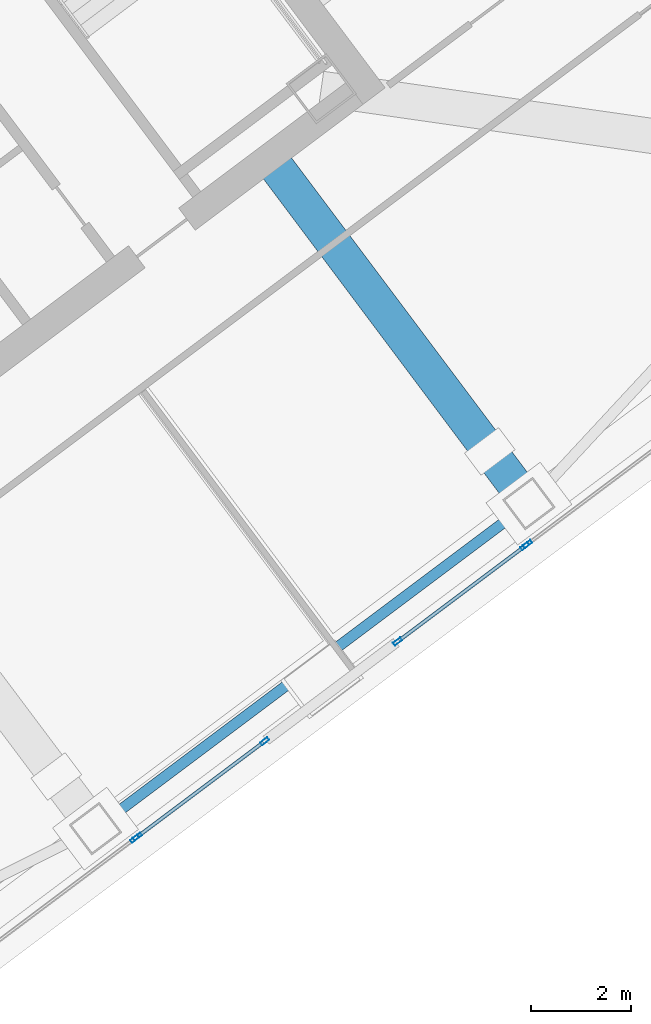
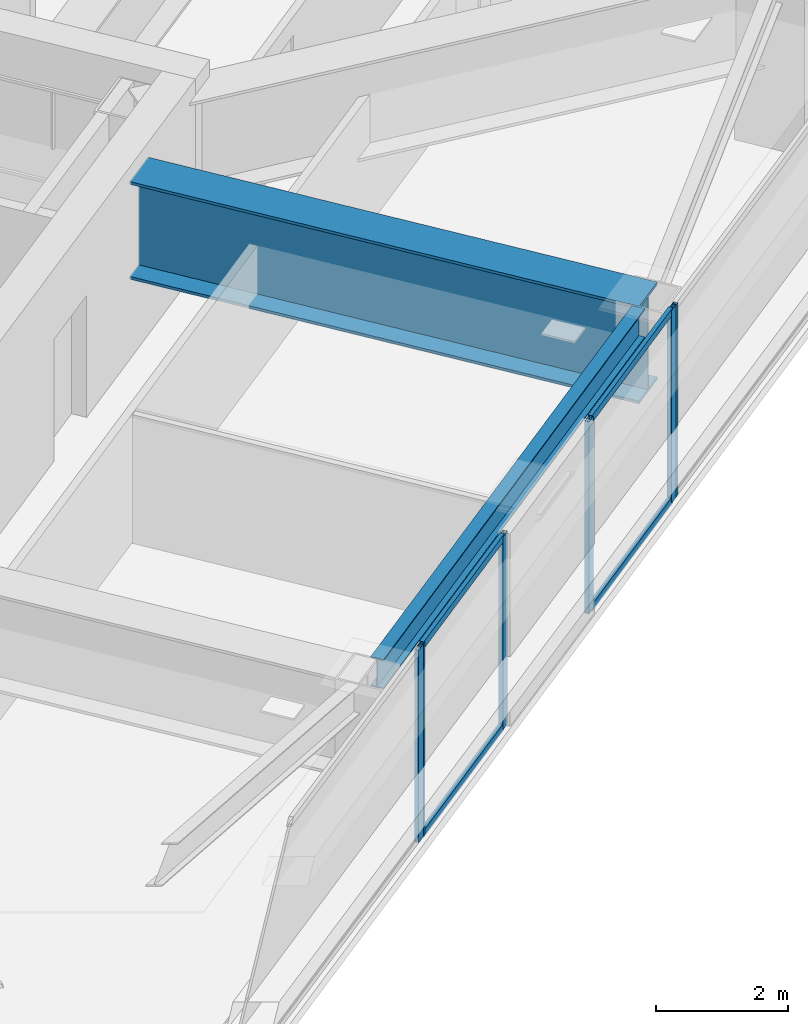
# One storey, part 24 of 42: 10 members, 2 beams, 4 elements without a shape of their own.
"""IFC4 building model written with IfcOpenShell, lengths in metres."""

from ifc_helpers import new_model, si_unit, direction, frame, origin, origin_2d, place, context, subcontext, project, spatial, hollow_rectangle, i_section, extrude, material, material_profile, profile_set, type_object, element, aggregate, save


model = new_model("IFC4")

# Units and contexts
model_context = context("Model", 3, precision=1e-05, world=origin(), true_north=direction((0.0, 1.0)))
body_context = subcontext(model_context, "Body", "Model", "MODEL_VIEW")
ifc_project = project(units=[si_unit("LENGTHUNIT", "METRE"), si_unit("AREAUNIT", "SQUARE_METRE"), si_unit("VOLUMEUNIT", "CUBIC_METRE"), si_unit("PLANEANGLEUNIT", "RADIAN"), si_unit("MASSUNIT", "GRAM", prefix="KILO")], contexts=[model_context])

# Site, building, storey
site_placement = place(None, origin())
site = spatial("IfcSite", under=ifc_project, at=site_placement, CompositionType="ELEMENT")
building_placement = place(site_placement, origin())
building = spatial("IfcBuilding", under=site, at=building_placement, Name="Tashvorn Skyway Center", CompositionType="ELEMENT")
storey_placement = place(building_placement, frame((0.0, 0.0, 196.050048828125)))
storey = spatial("IfcBuildingStorey", under=building, at=storey_placement, Name="L53", CompositionType="ELEMENT", Elevation=196.050048828125)

# Beams
ifc_material_1 = material(Name="Steel ASTM A572 Grade 50", Category="steel")
ifc_material_profile_1 = material_profile(ifc_material_1, i_section(OverallWidth=0.699951171875, OverallDepth=1.800048828125, WebThickness=0.031982421875, FlangeThickness=0.050048828125, at=origin_2d()), Name="PG1800x700")
ifc_profile_set_1 = profile_set([ifc_material_profile_1], Name="Steel ASTM A572 Grade 50")
beam_type_1 = type_object("IfcBeamType", Name="BM-BEAM-PG1800x700", PredefinedType="BEAM", material=ifc_profile_set_1)
beam_1_placement = place(storey_placement, frame((128.010009765625, 22.320068359375, 2.349853515625), z_axis=(-0.599995333035, 0.800003500202, 0.0), x_axis=(-0.800003500202, -0.599995333035, 0.0)))
element("IfcBeam", 1, at=beam_1_placement, inside=storey, type_object=beam_type_1, Name="Tower 2 L53 Setback Transfer Girder FC-S2", PredefinedType="BEAM", context=body_context, shape_type="SweptSolid", body=[
    extrude(i_section(OverallWidth=0.699951171875, OverallDepth=1.800048828125, WebThickness=0.031982421875, FlangeThickness=0.050048828125, at=origin_2d()), origin(), (0.0, 0.0, 1.0), 8.3701171875),
])
ifc_material_2 = material(Name="Steel ASTM A992 Grade 50", Category="steel")
ifc_material_profile_2 = material_profile(ifc_material_2, i_section(OverallWidth=0.2109375, OverallDepth=0.5390625, WebThickness=0.01171875, FlangeThickness=0.018798828125, at=origin_2d()), Name="W21X73")
ifc_profile_set_2 = profile_set([ifc_material_profile_2], Name="Steel ASTM A992 Grade 50")
beam_type_2 = type_object("IfcBeamType", Name="BM-SPANDREL-W21X73", PredefinedType="SPANDREL", material=ifc_profile_set_2)
beam_2_placement = place(storey_placement, frame((119.666015625, 16.06201171875, 2.98046875), z_axis=(0.800008736549, 0.599988351091, 0.0), x_axis=(-0.599988351091, 0.800008736549, 0.0)))
element("IfcBeam", 2, at=beam_2_placement, inside=storey, type_object=beam_type_2, Name="Tower 2 L53 Spandrel Beam 02", PredefinedType="SPANDREL", context=body_context, shape_type="SweptSolid", body=[
    extrude(i_section(OverallWidth=0.2109375, OverallDepth=0.5390625, WebThickness=0.01171875, FlangeThickness=0.018798828125, at=origin_2d()), origin(), (0.0, 0.0, 1.0), 10.06005859375),
])

# Curtain wall, member
ifc_material_3 = material(Name="Thermally broken bronze-anodized aluminium 6063-T6", Category="aluminium")
curtain_wall_type = type_object("IfcCurtainWallType", Name="CW-CW-Z4", PredefinedType="NOTDEFINED", material=ifc_material_3)
curtain_wall_1_placement = place(storey_placement, origin())
curtain_wall_1 = element("IfcCurtainWall", 3, at=curtain_wall_1_placement, inside=storey, type_object=curtain_wall_type, Name="Tower 2 L53 South Unitised Curtain Wall Glazing Group 1", PredefinedType="NOTDEFINED")
ifc_material_profile_3 = material_profile(ifc_material_3, hollow_rectangle(XDim=0.070068359375, YDim=0.179931640625, WallThickness=0.00390625, at=origin_2d()), Name="ALU-MULL-70x180")
ifc_profile_set_3 = profile_set([ifc_material_profile_3], Name="Thermally broken bronze-anodized aluminium 6063-T6")
member_type_1 = type_object("IfcMemberType", Name="CWM-CW-Z4", PredefinedType="MULLION", material=ifc_profile_set_3)
member_1_placement = place(storey_placement, frame((127.98388671875, 21.512939453125, 0.0), z_axis=(0.0, 0.0, 1.0), x_axis=(0.600000000002, -0.799999999998, 0.0)))
member_1 = element("IfcMember", 4, at=member_1_placement, type_object=member_type_1, Name="CW-Z4 mullion 2", PredefinedType="MULLION", context=body_context, shape_type="SweptSolid", body=[
    extrude(hollow_rectangle(XDim=0.070068359375, YDim=0.179931640625, WallThickness=0.00390625, at=origin_2d()), origin(), (0.0, 0.0, 1.0), 3.550048828125),
])
aggregate(curtain_wall_1, [member_1])

# Curtain wall, members
curtain_wall_2_placement = place(storey_placement, origin())
curtain_wall_2 = element("IfcCurtainWall", 5, at=curtain_wall_2_placement, inside=storey, type_object=curtain_wall_type, Name="Tower 2 L53 South Unitised Curtain Wall Glazing Group 2", PredefinedType="NOTDEFINED")
member_2_placement = place(storey_placement, frame((127.927978515625, 21.470947265625, 0.0), z_axis=(0.0, 0.0, 1.0), x_axis=(0.600000000002, -0.799999999998, 0.0)))
member_2 = element("IfcMember", 6, at=member_2_placement, type_object=member_type_1, Name="CW-Z4 mullion 1", PredefinedType="MULLION", context=body_context, shape_type="SweptSolid", body=[
    extrude(hollow_rectangle(XDim=0.070068359375, YDim=0.179931640625, WallThickness=0.00390625, at=origin_2d()), origin(), (0.0, 0.0, 1.0), 3.550048828125),
])
member_3_placement = place(storey_placement, frame((125.39208984375, 19.569091796875, 0.0), z_axis=(0.0, 0.0, 1.0), x_axis=(0.600000000002, -0.799999999998, 0.0)))
member_3 = element("IfcMember", 7, at=member_3_placement, type_object=member_type_1, Name="CW-Z4 mullion 2", PredefinedType="MULLION", context=body_context, shape_type="SweptSolid", body=[
    extrude(hollow_rectangle(XDim=0.070068359375, YDim=0.179931640625, WallThickness=0.00390625, at=origin_2d()), origin(), (0.0, 0.0, 1.0), 3.550048828125),
])

curtain_wall_3_placement = place(storey_placement, origin())
curtain_wall_3 = element("IfcCurtainWall", 8, at=curtain_wall_3_placement, inside=storey, type_object=curtain_wall_type, Name="Tower 2 L53 South Unitised Curtain Wall Glazing Group 3", PredefinedType="NOTDEFINED")
member_4_placement = place(storey_placement, frame((122.743896484375, 17.5830078125, 0.0), z_axis=(0.0, 0.0, 1.0), x_axis=(0.600000000002, -0.799999999998, 0.0)))
member_4 = element("IfcMember", 9, at=member_4_placement, type_object=member_type_1, Name="CW-Z4 mullion 1", PredefinedType="MULLION", context=body_context, shape_type="SweptSolid", body=[
    extrude(hollow_rectangle(XDim=0.070068359375, YDim=0.179931640625, WallThickness=0.00390625, at=origin_2d()), origin(), (0.0, 0.0, 1.0), 3.550048828125),
])
member_5_placement = place(storey_placement, frame((120.2080078125, 15.680908203125, 0.0), z_axis=(0.0, 0.0, 1.0), x_axis=(0.600000000002, -0.799999999998, 0.0)))
member_5 = element("IfcMember", 10, at=member_5_placement, type_object=member_type_1, Name="CW-Z4 mullion 2", PredefinedType="MULLION", context=body_context, shape_type="SweptSolid", body=[
    extrude(hollow_rectangle(XDim=0.070068359375, YDim=0.179931640625, WallThickness=0.00390625, at=origin_2d()), origin(), (0.0, 0.0, 1.0), 3.550048828125),
])

# Curtain wall, member
curtain_wall_4_placement = place(storey_placement, origin())
curtain_wall_4 = element("IfcCurtainWall", 11, at=curtain_wall_4_placement, inside=storey, type_object=curtain_wall_type, Name="Tower 2 L53 South Unitised Curtain Wall Glazing Group 4", PredefinedType="NOTDEFINED")
member_6_placement = place(storey_placement, frame((120.152099609375, 15.638916015625, 0.0), z_axis=(0.0, 0.0, 1.0), x_axis=(0.600000000002, -0.799999999998, 0.0)))
member_6 = element("IfcMember", 12, at=member_6_placement, type_object=member_type_1, Name="CW-Z4 mullion 1", PredefinedType="MULLION", context=body_context, shape_type="SweptSolid", body=[
    extrude(hollow_rectangle(XDim=0.070068359375, YDim=0.179931640625, WallThickness=0.00390625, at=origin_2d()), origin(), (0.0, 0.0, 1.0), 3.550048828125),
])
aggregate(curtain_wall_4, [member_6])

# Member
ifc_material_profile_4 = material_profile(ifc_material_3, hollow_rectangle(XDim=0.070068359375, YDim=0.1298828125, WallThickness=0.00390625, at=origin_2d()), Name="ALU-TRAN-70x130")
ifc_profile_set_4 = profile_set([ifc_material_profile_4], Name="Thermally broken bronze-anodized aluminium 6063-T6")
member_type_2 = type_object("IfcMemberType", Name="CWT-CW-Z4", PredefinedType="USERDEFINED", material=ifc_profile_set_4)
member_7_placement = place(storey_placement, frame((127.89990234375, 21.449951171875, 0.034912109375), z_axis=(-0.800018901408, -0.599974797295, 0.0), x_axis=(0.599974797295, -0.800018901408, 0.0)))
member_7 = element("IfcMember", 13, at=member_7_placement, type_object=member_type_2, Name="CW-Z4 transom 1.1", ObjectType="TRANSOM", PredefinedType="USERDEFINED", context=body_context, shape_type="SweptSolid", body=[
    extrude(hollow_rectangle(XDim=0.070068359375, YDim=0.1298828125, WallThickness=0.00390625, at=origin_2d()), origin(), (0.0, 0.0, 1.0), 3.099853515625),
])

member_8_placement = place(storey_placement, frame((127.89990234375, 21.449951171875, 3.514892578125), z_axis=(-0.800018901408, -0.599974797295, 0.0), x_axis=(0.599974797295, -0.800018901408, 0.0)))
member_8 = element("IfcMember", 14, at=member_8_placement, type_object=member_type_2, Name="CW-Z4 transom 1.2", ObjectType="TRANSOM", PredefinedType="USERDEFINED", context=body_context, shape_type="SweptSolid", body=[
    extrude(hollow_rectangle(XDim=0.070068359375, YDim=0.1298828125, WallThickness=0.00390625, at=origin_2d()), origin(), (0.0, 0.0, 1.0), 3.099853515625),
])

aggregate(curtain_wall_2, [member_2, member_3, member_7, member_8])

member_9_placement = place(storey_placement, frame((122.716064453125, 17.56201171875, 0.034912109375), z_axis=(-0.799981098691, -0.600025200918, 0.0), x_axis=(0.600025200918, -0.799981098691, 0.0)))
member_9 = element("IfcMember", 15, at=member_9_placement, type_object=member_type_2, Name="CW-Z4 transom 1.1", ObjectType="TRANSOM", PredefinedType="USERDEFINED", context=body_context, shape_type="SweptSolid", body=[
    extrude(hollow_rectangle(XDim=0.070068359375, YDim=0.1298828125, WallThickness=0.00390625, at=origin_2d()), origin(), (0.0, 0.0, 1.0), 3.10009765625),
])

member_10_placement = place(storey_placement, frame((122.716064453125, 17.56201171875, 3.514892578125), z_axis=(-0.799981098691, -0.600025200918, 0.0), x_axis=(0.600025200918, -0.799981098691, 0.0)))
member_10 = element("IfcMember", 16, at=member_10_placement, type_object=member_type_2, Name="CW-Z4 transom 1.2", ObjectType="TRANSOM", PredefinedType="USERDEFINED", context=body_context, shape_type="SweptSolid", body=[
    extrude(hollow_rectangle(XDim=0.070068359375, YDim=0.1298828125, WallThickness=0.00390625, at=origin_2d()), origin(), (0.0, 0.0, 1.0), 3.10009765625),
])

aggregate(curtain_wall_3, [member_4, member_5, member_9, member_10])

save(model, "model.ifc")
